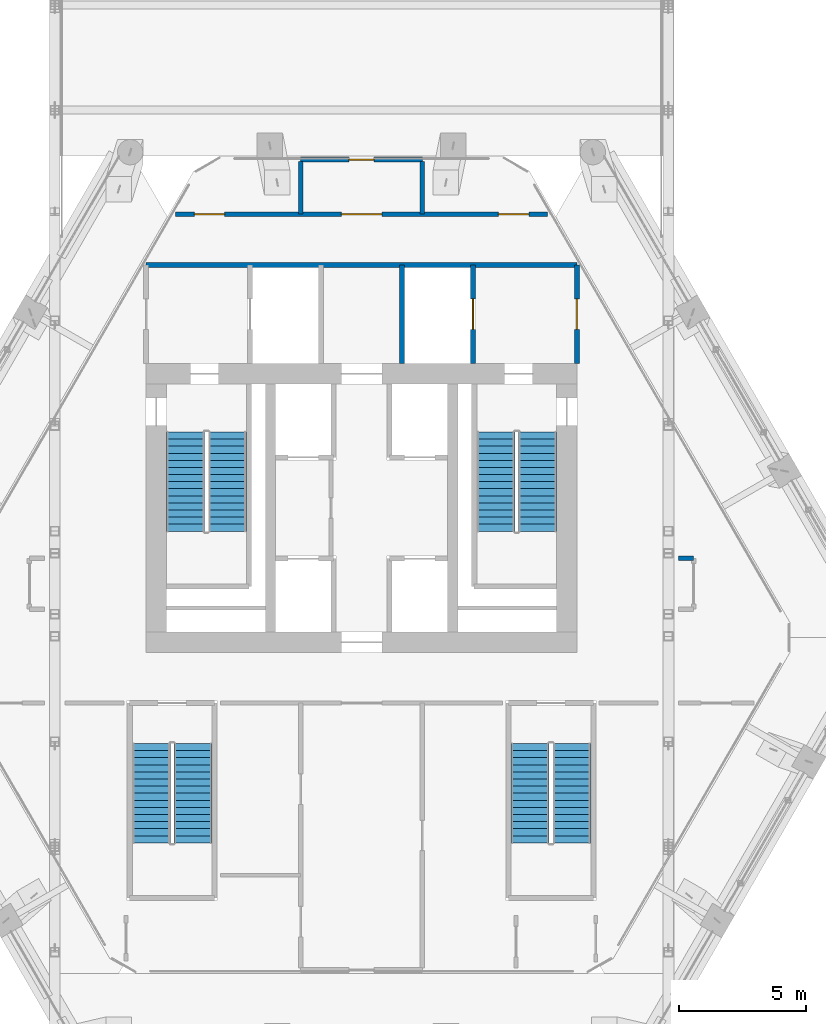
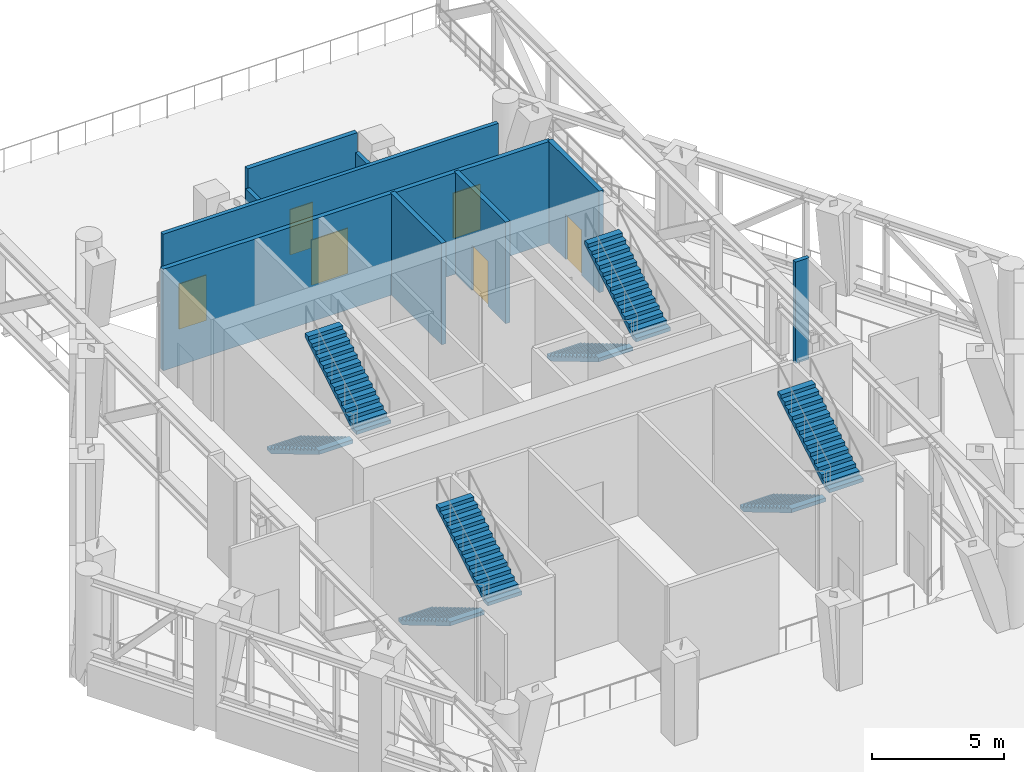
# One storey, part 11 of 22: 9 walls, 8 stair flights, 6 doors, 6 openings, 4 elements without a shape of their own.
"""IFC4 building model written with IfcOpenShell, lengths in metres."""

from ifc_helpers import new_model, si_unit, direction, frame, frame_2d, origin, place, context, subcontext, project, spatial, polyline, rectangle, outline, extrude, material, layer, layer_set, type_object, element, fill, aggregate, save


model = new_model("IFC4")

# Units and contexts
model_context = context("Model", 3, precision=1e-05, world=origin(), true_north=direction((0.0, 1.0)))
body_context = subcontext(model_context, "Body", "Model", "MODEL_VIEW")
ifc_project = project(units=[si_unit("LENGTHUNIT", "METRE"), si_unit("AREAUNIT", "SQUARE_METRE"), si_unit("VOLUMEUNIT", "CUBIC_METRE"), si_unit("PLANEANGLEUNIT", "RADIAN"), si_unit("MASSUNIT", "GRAM", prefix="KILO")], contexts=[model_context])

# Site, building, storey
site_placement = place(None, origin())
site = spatial("IfcSite", under=ifc_project, at=site_placement, CompositionType="ELEMENT")
building_placement = place(site_placement, origin())
building = spatial("IfcBuilding", under=site, at=building_placement, Name="Ostrander Bayou Hotel Tower", CompositionType="ELEMENT")
storey_placement = place(building_placement, frame((0.0, 0.0, 209.5)))
storey = spatial("IfcBuildingStorey", under=building, at=storey_placement, Name="L52", CompositionType="ELEMENT", Elevation=209.5)

# Wall
ifc_material_1 = material(Name="Gypsum board partition", Category="finish")
ifc_layer_1 = layer(ifc_material_1, 0.175048828125)
ifc_layer_set_1 = layer_set([ifc_layer_1], Name="PT4 corridor wall 175 mm, 1 hour")
wall_type_1 = type_object("IfcWallType", Name="PT4 corridor wall 175 mm, 1 hour", PredefinedType="PARTITIONING", material=ifc_layer_set_1)
wall_1_placement = place(storey_placement, frame((12.510009765625, 2.010009765625, 0.0), z_axis=(0.0, 0.0, 1.0), x_axis=(1.0, 0.0, 0.0)))
element("IfcWall", 1, at=wall_1_placement, inside=storey, type_object=wall_type_1, Name="sw:L52:007", PredefinedType="PARTITIONING", context=body_context, shape_type="SweptSolid", body=[
    extrude(rectangle(XDim=0.60009765625, YDim=0.175048828125, at=frame_2d((0.300048828125, 0.0))), origin(), (0.0, 0.0, 1.0), 4.699951171875),
])

# Wall, openings, doors
wall_2_placement = place(storey_placement, frame((-7.340576171875, 15.60009765625, 0.0), z_axis=(0.0, 0.0, 1.0), x_axis=(1.0, 0.0, 0.0)))
wall_2 = element("IfcWall", 2, at=wall_2_placement, inside=storey, type_object=wall_type_1, Name="sw:L52:008", PredefinedType="PARTITIONING", context=body_context, shape_type="SweptSolid", body=[
    extrude(rectangle(XDim=14.68115234375, YDim=0.175048828125, at=frame_2d((7.340576171875, 0.0))), origin(), (0.0, 0.0, 1.0), 4.699951171875),
])
opening_1_placement = place(wall_2_placement, frame((6.54052734375, 0.0, 0.0)))
opening_1 = element("IfcOpeningElement", 3, at=opening_1_placement, cuts=wall_2, Name="Opening T52-201", PredefinedType="OPENING", context=body_context, shape_type="SweptSolid", body=[
    extrude(rectangle(XDim=1.60009765625, YDim=2.10009765625, at=frame_2d((0.800048828125, 1.050048828125))), frame((0.0, 0.08740234375, 0.0), z_axis=(0.0, -1.0, 0.0), x_axis=(1.0, 0.0, 0.0)), (0.0, 0.0, 1.0), 0.175048828125),
])
opening_2_placement = place(wall_2_placement, frame((0.738525390625, 0.0, 0.0)))
opening_2 = element("IfcOpeningElement", 4, at=opening_2_placement, cuts=wall_2, Name="Opening T52-212", PredefinedType="OPENING", context=body_context, shape_type="SweptSolid", body=[
    extrude(rectangle(XDim=1.199951171875, YDim=2.10009765625, at=frame_2d((0.60009765625, 1.050048828125))), frame((0.0, 0.08740234375, 0.0), z_axis=(0.0, -1.0, 0.0), x_axis=(1.0, 0.0, 0.0)), (0.0, 0.0, 1.0), 0.175048828125),
])
opening_3_placement = place(wall_2_placement, frame((12.74267578125, 0.0, 0.0)))
opening_3 = element("IfcOpeningElement", 5, at=opening_3_placement, cuts=wall_2, Name="Opening T52-213", PredefinedType="OPENING", context=body_context, shape_type="SweptSolid", body=[
    extrude(rectangle(XDim=1.199951171875, YDim=2.10009765625, at=frame_2d((0.60009765625, 1.050048828125))), frame((0.0, 0.08740234375, 0.0), z_axis=(0.0, -1.0, 0.0), x_axis=(1.0, 0.0, 0.0)), (0.0, 0.0, 1.0), 0.175048828125),
])
ifc_material_2 = material(Name="Timber door leaf", Category="wood")
door_type_1 = type_object("IfcDoorType", Name="D10 plant room door 1200 x 2100 mm, 1 hour", OperationType="SINGLE_SWING_LEFT", PredefinedType="DOOR", material=ifc_material_2)
door_1_placement = place(opening_2_placement, origin())
door_1 = element("IfcDoor", 6, at=door_1_placement, inside=storey, type_object=door_type_1, Name="dr:L52:212", OperationType="SINGLE_SWING_RIGHT", OverallHeight=2.10009765625, OverallWidth=1.199951171875, PredefinedType="DOOR", context=body_context, shape_type="SweptSolid", body=[
    extrude(rectangle(XDim=1.199951171875, YDim=2.10009765625, at=frame_2d((0.60009765625, 1.050048828125))), frame((0.0, 0.02490234375, 0.0), z_axis=(0.0, -1.0, 0.0), x_axis=(1.0, 0.0, 0.0)), (0.0, 0.0, 1.0), 0.050048828125),
])
fill(opening_2, door_1)
door_2_placement = place(opening_3_placement, origin())
door_2 = element("IfcDoor", 7, at=door_2_placement, inside=storey, type_object=door_type_1, Name="dr:L52:213", OperationType="SINGLE_SWING_LEFT", OverallHeight=2.10009765625, OverallWidth=1.199951171875, PredefinedType="DOOR", context=body_context, shape_type="SweptSolid", body=[
    extrude(rectangle(XDim=1.199951171875, YDim=2.10009765625, at=frame_2d((0.60009765625, 1.050048828125))), frame((0.0, 0.02490234375, 0.0), z_axis=(0.0, -1.0, 0.0), x_axis=(1.0, 0.0, 0.0)), (0.0, 0.0, 1.0), 0.050048828125),
])
fill(opening_3, door_2)
ifc_material_3 = material(Name="Timber door leaf", Category="wood")
door_type_2 = type_object("IfcDoorType", Name="D13 double door 1600 x 2100 mm, 1 hour", OperationType="SINGLE_SWING_LEFT", PredefinedType="DOOR", material=ifc_material_3)
door_3_placement = place(opening_1_placement, origin())
door_3 = element("IfcDoor", 8, at=door_3_placement, inside=storey, type_object=door_type_2, Name="dr:L52:201", OperationType="DOUBLE_DOOR_SINGLE_SWING", OverallHeight=2.10009765625, OverallWidth=1.60009765625, PredefinedType="DOOR", context=body_context, shape_type="SweptSolid", body=[
    extrude(rectangle(XDim=1.60009765625, YDim=2.10009765625, at=frame_2d((0.800048828125, 1.050048828125))), frame((0.0, 0.02490234375, 0.0), z_axis=(0.0, -1.0, 0.0), x_axis=(1.0, 0.0, 0.0)), (0.0, 0.0, 1.0), 0.050048828125),
])
fill(opening_1, door_3)

# Walls
for number, where, z_axis, x_axis, name in (
    (9, (-2.39990234375, 15.60009765625, 0.0), (0.0, 0.0, 1.0), (0.0, 1.0, 0.0), "sw:L52:011"),
    (10, (2.39990234375, 15.60009765625, 0.0), (0.0, 0.0, 1.0), (0.0, 1.0, 0.0), "sw:L52:013"),
):
    element("IfcWall", number, at=place(storey_placement, frame(where, z_axis=z_axis, x_axis=x_axis)), inside=storey, type_object=wall_type_1, Name=name, PredefinedType="PARTITIONING", context=body_context, shape_type="SweptSolid", body=[
        extrude(rectangle(XDim=2.06982421875, YDim=0.175048828125, at=frame_2d((1.034912109375, 0.0))), origin(), (0.0, 0.0, 1.0), 3.800048828125),
    ])
ifc_material_4 = material(Name="Masonry block", Category="masonry")
ifc_layer_2 = layer(ifc_material_4, 0.199951171875)
ifc_layer_set_2 = layer_set([ifc_layer_2], Name="PT5 stair enclosure wall 200 mm masonry, 2 hour")
wall_type_2 = type_object("IfcWallType", Name="PT5 stair enclosure wall 200 mm masonry, 2 hour", PredefinedType="PARTITIONING", material=ifc_layer_set_2)
wall_3_placement = place(storey_placement, frame((-8.5, 13.60009765625, 0.0), z_axis=(0.0, 0.0, 1.0), x_axis=(1.0, 0.0, 0.0)))
element("IfcWall", 11, at=wall_3_placement, inside=storey, type_object=wall_type_2, Name="cs:L52:023", PredefinedType="PARTITIONING", context=body_context, shape_type="SweptSolid", body=[
    extrude(rectangle(XDim=17.0, YDim=0.199951171875, at=frame_2d((8.5, 0.0))), origin(), (0.0, 0.0, 1.0), 4.699951171875),
])

# Wall, opening, door
wall_4_placement = place(storey_placement, frame((8.5, 9.699951171875, 0.0), z_axis=(0.0, 0.0, 1.0), x_axis=(0.0, 1.0, 0.0)))
wall_4 = element("IfcWall", 12, at=wall_4_placement, inside=storey, type_object=wall_type_2, Name="cs:L52:025", PredefinedType="PARTITIONING", context=body_context, shape_type="SweptSolid", body=[
    extrude(rectangle(XDim=3.900146484375, YDim=0.199951171875, at=frame_2d((1.9501953125, 0.0))), origin(), (0.0, 0.0, 1.0), 4.699951171875),
])
opening_4_placement = place(wall_4_placement, frame((1.35009765625, 0.0, 0.0)))
opening_4 = element("IfcOpeningElement", 13, at=opening_4_placement, cuts=wall_4, Name="Opening T52-016", PredefinedType="OPENING", context=body_context, shape_type="SweptSolid", body=[
    extrude(rectangle(XDim=1.199951171875, YDim=2.10009765625, at=frame_2d((0.60009765625, 1.050048828125))), frame((0.0, 0.10009765625, 0.0), z_axis=(0.0, -1.0, 0.0), x_axis=(1.0, 0.0, 0.0)), (0.0, 0.0, 1.0), 0.199951171875),
])
ifc_material_5 = material(Name="Timber door leaf", Category="wood")
door_type_3 = type_object("IfcDoorType", Name="D7 lobby door 1200 x 2100 mm, 1 hour", OperationType="SINGLE_SWING_LEFT", PredefinedType="DOOR", material=ifc_material_5)
door_4_placement = place(opening_4_placement, origin())
door_4 = element("IfcDoor", 14, at=door_4_placement, inside=storey, type_object=door_type_3, Name="dr:L52:016", OperationType="SINGLE_SWING_LEFT", OverallHeight=2.10009765625, OverallWidth=1.199951171875, PredefinedType="DOOR", context=body_context, shape_type="SweptSolid", body=[
    extrude(rectangle(XDim=1.199951171875, YDim=2.10009765625, at=frame_2d((0.60009765625, 1.050048828125))), frame((0.0, 0.02490234375, 0.0), z_axis=(0.0, -1.0, 0.0), x_axis=(1.0, 0.0, 0.0)), (0.0, 0.0, 1.0), 0.050048828125),
])
fill(opening_4, door_4)

wall_5_placement = place(storey_placement, frame((4.39990234375, 9.699951171875, 0.0), z_axis=(0.0, 0.0, 1.0), x_axis=(0.0, 1.0, 0.0)))
wall_5 = element("IfcWall", 15, at=wall_5_placement, inside=storey, type_object=wall_type_2, Name="cs:L52:027", PredefinedType="PARTITIONING", context=body_context, shape_type="SweptSolid", body=[
    extrude(rectangle(XDim=3.900146484375, YDim=0.199951171875, at=frame_2d((1.9501953125, 0.0))), origin(), (0.0, 0.0, 1.0), 4.699951171875),
])
opening_5_placement = place(wall_5_placement, frame((1.35009765625, 0.0, 0.0)))
opening_5 = element("IfcOpeningElement", 16, at=opening_5_placement, cuts=wall_5, Name="Opening T52-015", PredefinedType="OPENING", context=body_context, shape_type="SweptSolid", body=[
    extrude(rectangle(XDim=1.199951171875, YDim=2.10009765625, at=frame_2d((0.60009765625, 1.050048828125))), frame((0.0, 0.10009765625, 0.0), z_axis=(0.0, -1.0, 0.0), x_axis=(1.0, 0.0, 0.0)), (0.0, 0.0, 1.0), 0.199951171875),
])
ifc_material_6 = material(Name="Stainless steel sliding door", Category="steel")
door_type_4 = type_object("IfcDoorType", Name="LD1 lift landing door 1200 x 2100 mm", OperationType="SINGLE_SWING_LEFT", PredefinedType="DOOR", material=ifc_material_6)
door_5_placement = place(opening_5_placement, origin())
door_5 = element("IfcDoor", 17, at=door_5_placement, inside=storey, type_object=door_type_4, Name="dr:L52:015", OperationType="SLIDING_TO_LEFT", OverallHeight=2.10009765625, OverallWidth=1.199951171875, PredefinedType="DOOR", context=body_context, shape_type="SweptSolid", body=[
    extrude(rectangle(XDim=1.199951171875, YDim=2.10009765625, at=frame_2d((0.60009765625, 1.050048828125))), frame((0.0, 0.02490234375, 0.0), z_axis=(0.0, -1.0, 0.0), x_axis=(1.0, 0.0, 0.0)), (0.0, 0.0, 1.0), 0.050048828125),
])
fill(opening_5, door_5)

# Wall
ifc_material_7 = material(Name="Masonry block", Category="masonry")
ifc_layer_3 = layer(ifc_material_7, 0.199951171875)
ifc_layer_set_3 = layer_set([ifc_layer_3], Name="PT6 lift shaft wall 200 mm masonry, 2 hour")
wall_type_3 = type_object("IfcWallType", Name="PT6 lift shaft wall 200 mm masonry, 2 hour", PredefinedType="PARTITIONING", material=ifc_layer_set_3)
wall_6_placement = place(storey_placement, frame((1.60009765625, 9.699951171875, 0.0), z_axis=(0.0, 0.0, 1.0), x_axis=(0.0, 1.0, 0.0)))
element("IfcWall", 18, at=wall_6_placement, inside=storey, type_object=wall_type_3, Name="cs:L52:029", PredefinedType="PARTITIONING", context=body_context, shape_type="SweptSolid", body=[
    extrude(rectangle(XDim=3.900146484375, YDim=0.199951171875, at=frame_2d((1.9501953125, 0.0))), origin(), (0.0, 0.0, 1.0), 4.699951171875),
])

# Wall, opening, door
ifc_material_8 = material(Name="Masonry block", Category="masonry")
ifc_layer_4 = layer(ifc_material_8, 0.199951171875)
ifc_layer_set_4 = layer_set([ifc_layer_4], Name="PT9 exterior screen wall 200 mm masonry, 1 hour")
wall_type_4 = type_object("IfcWallType", Name="PT9 exterior screen wall 200 mm masonry, 1 hour", PredefinedType="PARTITIONING", material=ifc_layer_set_4)
wall_7_placement = place(storey_placement, frame((-2.39990234375, 17.75, 0.0), z_axis=(0.0, 0.0, 1.0), x_axis=(1.0, 0.0, 0.0)))
wall_7 = element("IfcWall", 19, at=wall_7_placement, inside=storey, type_object=wall_type_4, Name="sw:L52:022", PredefinedType="PARTITIONING", context=body_context, shape_type="SweptSolid", body=[
    extrude(rectangle(XDim=4.7998046875, YDim=0.199951171875, at=frame_2d((2.39990234375, 0.0))), origin(), (0.0, 0.0, 1.0), 4.699951171875),
])
opening_6_placement = place(wall_7_placement, frame((1.89990234375, 0.0, 0.0)))
opening_6 = element("IfcOpeningElement", 20, at=opening_6_placement, cuts=wall_7, Name="Opening T52-215", PredefinedType="OPENING", context=body_context, shape_type="SweptSolid", body=[
    extrude(rectangle(XDim=1.0, YDim=2.10009765625, at=frame_2d((0.5, 1.050048828125))), frame((0.0, 0.10009765625, 0.0), z_axis=(0.0, -1.0, 0.0), x_axis=(1.0, 0.0, 0.0)), (0.0, 0.0, 1.0), 0.199951171875),
])
ifc_material_9 = material(Name="Timber door leaf", Category="wood")
door_type_5 = type_object("IfcDoorType", Name="D4 corridor door 1000 x 2100 mm, 1 hour", OperationType="SINGLE_SWING_LEFT", PredefinedType="DOOR", material=ifc_material_9)
door_6_placement = place(opening_6_placement, origin())
door_6 = element("IfcDoor", 21, at=door_6_placement, inside=storey, type_object=door_type_5, Name="dr:L52:215", OperationType="SINGLE_SWING_LEFT", OverallHeight=2.10009765625, OverallWidth=1.0, PredefinedType="DOOR", context=body_context, shape_type="SweptSolid", body=[
    extrude(rectangle(XDim=1.0, YDim=2.10009765625, at=frame_2d((0.5, 1.050048828125))), frame((0.0, 0.02490234375, 0.0), z_axis=(0.0, -1.0, 0.0), x_axis=(1.0, 0.0, 0.0)), (0.0, 0.0, 1.0), 0.050048828125),
])
fill(opening_6, door_6)

# Stair, stair flights
ifc_material_10 = material(Name="Concrete f'c 45 MPa", Category="concrete")
stair_type = type_object("IfcStairType", Name="ST1 exit stair 1500 mm f'c 45 MPa", PredefinedType="HALF_TURN_STAIR", material=ifc_material_10)
stair_1_placement = place(storey_placement, origin())
stair_1 = element("IfcStair", 22, at=stair_1_placement, inside=storey, type_object=stair_type, Name="L52 exit stair A", PredefinedType="HALF_TURN_STAIR")
ifc_material_11 = material(Name="Concrete f'c 45 MPa", Category="concrete")
stair_flight_type = type_object("IfcStairFlightType", Name="SF1 stair flight 1500 mm f'c 45 MPa", PredefinedType="STRAIGHT", material=ifc_material_11)
stair_flight_1_placement = place(storey_placement, frame((-6.949951171875, 7.0, 0.0), z_axis=(0.0, 0.0, 1.0), x_axis=(0.0, -1.0, 0.0)))
stair_flight_1 = element("IfcStairFlight", 23, at=stair_flight_1_placement, type_object=stair_flight_type, Name="STA flight 1", NumberOfRisers=15, NumberOfTreads=14, PredefinedType="STRAIGHT", RiserHeight=0.166666667, TreadLength=0.28, context=body_context, shape_type="SweptSolid", body=[
    extrude(outline(polyline([(0.0, 0.0), (0.0, 0.166748046875), (0.280029296875, 0.166748046875), (0.280029296875, 0.333251953125), (0.56005859375, 0.333251953125), (0.56005859375, 0.5), (0.840087890625, 0.5), (0.840087890625, 0.666748046875), (1.1201171875, 0.666748046875), (1.1201171875, 0.833251953125), (1.39990234375, 0.833251953125), (1.39990234375, 1.0), (1.679931640625, 1.0), (1.679931640625, 1.166748046875), (1.9599609375, 1.166748046875), (1.9599609375, 1.333251953125), (2.239990234375, 1.333251953125), (2.239990234375, 1.5), (2.52001953125, 1.5), (2.52001953125, 1.666748046875), (2.800048828125, 1.666748046875), (2.800048828125, 1.833251953125), (3.080078125, 1.833251953125), (3.080078125, 2.0), (3.360107421875, 2.0), (3.360107421875, 2.166748046875), (3.639892578125, 2.166748046875), (3.639892578125, 2.333251953125), (3.919921875, 2.333251953125), (3.919921875, 2.5), (3.919921875, 2.158935546875), (0.29296875, 0.0), (0.0, 0.0)])), frame((0.0, 0.75, 0.0), z_axis=(0.0, -1.0, 0.0), x_axis=(1.0, 0.0, 0.0)), (0.0, 0.0, 1.0), 1.5),
])
stair_flight_2_placement = place(storey_placement, frame((-5.300048828125, 3.080078125, 2.5), z_axis=(0.0, 0.0, 1.0), x_axis=(0.0, 1.0, 0.0)))
stair_flight_2 = element("IfcStairFlight", 24, at=stair_flight_2_placement, type_object=stair_flight_type, Name="STA flight 2", NumberOfRisers=15, NumberOfTreads=14, PredefinedType="STRAIGHT", RiserHeight=0.166666667, TreadLength=0.28, context=body_context, shape_type="SweptSolid", body=[
    extrude(outline(polyline([(0.0, 0.0), (0.0, 0.166748046875), (0.280029296875, 0.166748046875), (0.280029296875, 0.333251953125), (0.56005859375, 0.333251953125), (0.56005859375, 0.5), (0.840087890625, 0.5), (0.840087890625, 0.666748046875), (1.1201171875, 0.666748046875), (1.1201171875, 0.833251953125), (1.39990234375, 0.833251953125), (1.39990234375, 1.0), (1.679931640625, 1.0), (1.679931640625, 1.166748046875), (1.9599609375, 1.166748046875), (1.9599609375, 1.333251953125), (2.239990234375, 1.333251953125), (2.239990234375, 1.5), (2.52001953125, 1.5), (2.52001953125, 1.666748046875), (2.800048828125, 1.666748046875), (2.800048828125, 1.833251953125), (3.080078125, 1.833251953125), (3.080078125, 2.0), (3.360107421875, 2.0), (3.360107421875, 2.166748046875), (3.639892578125, 2.166748046875), (3.639892578125, 2.333251953125), (3.919921875, 2.333251953125), (3.919921875, 2.5), (3.919921875, 2.158935546875), (0.29296875, 0.0), (0.0, 0.0)])), frame((0.0, 0.75, 0.0), z_axis=(0.0, -1.0, 0.0), x_axis=(1.0, 0.0, 0.0)), (0.0, 0.0, 1.0), 1.5),
])
aggregate(stair_1, [stair_flight_1, stair_flight_2])

stair_2_placement = place(storey_placement, origin())
stair_2 = element("IfcStair", 25, at=stair_2_placement, inside=storey, type_object=stair_type, Name="L52 exit stair B", PredefinedType="HALF_TURN_STAIR")
stair_flight_3_placement = place(storey_placement, frame((5.300048828125, 7.0, 0.0), z_axis=(0.0, 0.0, 1.0), x_axis=(0.0, -1.0, 0.0)))
stair_flight_3 = element("IfcStairFlight", 26, at=stair_flight_3_placement, type_object=stair_flight_type, Name="STB flight 1", NumberOfRisers=15, NumberOfTreads=14, PredefinedType="STRAIGHT", RiserHeight=0.166666667, TreadLength=0.28, context=body_context, shape_type="SweptSolid", body=[
    extrude(outline(polyline([(0.0, 0.0), (0.0, 0.166748046875), (0.280029296875, 0.166748046875), (0.280029296875, 0.333251953125), (0.56005859375, 0.333251953125), (0.56005859375, 0.5), (0.840087890625, 0.5), (0.840087890625, 0.666748046875), (1.1201171875, 0.666748046875), (1.1201171875, 0.833251953125), (1.39990234375, 0.833251953125), (1.39990234375, 1.0), (1.679931640625, 1.0), (1.679931640625, 1.166748046875), (1.9599609375, 1.166748046875), (1.9599609375, 1.333251953125), (2.239990234375, 1.333251953125), (2.239990234375, 1.5), (2.52001953125, 1.5), (2.52001953125, 1.666748046875), (2.800048828125, 1.666748046875), (2.800048828125, 1.833251953125), (3.080078125, 1.833251953125), (3.080078125, 2.0), (3.360107421875, 2.0), (3.360107421875, 2.166748046875), (3.639892578125, 2.166748046875), (3.639892578125, 2.333251953125), (3.919921875, 2.333251953125), (3.919921875, 2.5), (3.919921875, 2.158935546875), (0.29296875, 0.0), (0.0, 0.0)])), frame((0.0, 0.75, 0.0), z_axis=(0.0, -1.0, 0.0), x_axis=(1.0, 0.0, 0.0)), (0.0, 0.0, 1.0), 1.5),
])
stair_flight_4_placement = place(storey_placement, frame((6.949951171875, 3.080078125, 2.5), z_axis=(0.0, 0.0, 1.0), x_axis=(0.0, 1.0, 0.0)))
stair_flight_4 = element("IfcStairFlight", 27, at=stair_flight_4_placement, type_object=stair_flight_type, Name="STB flight 2", NumberOfRisers=15, NumberOfTreads=14, PredefinedType="STRAIGHT", RiserHeight=0.166666667, TreadLength=0.28, context=body_context, shape_type="SweptSolid", body=[
    extrude(outline(polyline([(0.0, 0.0), (0.0, 0.166748046875), (0.280029296875, 0.166748046875), (0.280029296875, 0.333251953125), (0.56005859375, 0.333251953125), (0.56005859375, 0.5), (0.840087890625, 0.5), (0.840087890625, 0.666748046875), (1.1201171875, 0.666748046875), (1.1201171875, 0.833251953125), (1.39990234375, 0.833251953125), (1.39990234375, 1.0), (1.679931640625, 1.0), (1.679931640625, 1.166748046875), (1.9599609375, 1.166748046875), (1.9599609375, 1.333251953125), (2.239990234375, 1.333251953125), (2.239990234375, 1.5), (2.52001953125, 1.5), (2.52001953125, 1.666748046875), (2.800048828125, 1.666748046875), (2.800048828125, 1.833251953125), (3.080078125, 1.833251953125), (3.080078125, 2.0), (3.360107421875, 2.0), (3.360107421875, 2.166748046875), (3.639892578125, 2.166748046875), (3.639892578125, 2.333251953125), (3.919921875, 2.333251953125), (3.919921875, 2.5), (3.919921875, 2.158935546875), (0.29296875, 0.0), (0.0, 0.0)])), frame((0.0, 0.75, 0.0), z_axis=(0.0, -1.0, 0.0), x_axis=(1.0, 0.0, 0.0)), (0.0, 0.0, 1.0), 1.5),
])
aggregate(stair_2, [stair_flight_3, stair_flight_4])

stair_3_placement = place(storey_placement, origin())
stair_3 = element("IfcStair", 28, at=stair_3_placement, inside=storey, type_object=stair_type, Name="L52 exit stair C", PredefinedType="HALF_TURN_STAIR")
stair_flight_5_placement = place(storey_placement, frame((6.64990234375, -5.300048828125, 0.0), z_axis=(0.0, 0.0, 1.0), x_axis=(0.0, -1.0, 0.0)))
stair_flight_5 = element("IfcStairFlight", 29, at=stair_flight_5_placement, type_object=stair_flight_type, Name="STC flight 1", NumberOfRisers=15, NumberOfTreads=14, PredefinedType="STRAIGHT", RiserHeight=0.166666667, TreadLength=0.28, context=body_context, shape_type="SweptSolid", body=[
    extrude(outline(polyline([(0.0, 0.0), (0.0, 0.166748046875), (0.280029296875, 0.166748046875), (0.280029296875, 0.333251953125), (0.56005859375, 0.333251953125), (0.56005859375, 0.5), (0.840087890625, 0.5), (0.840087890625, 0.666748046875), (1.1201171875, 0.666748046875), (1.1201171875, 0.833251953125), (1.39990234375, 0.833251953125), (1.39990234375, 1.0), (1.679931640625, 1.0), (1.679931640625, 1.166748046875), (1.9599609375, 1.166748046875), (1.9599609375, 1.333251953125), (2.239990234375, 1.333251953125), (2.239990234375, 1.5), (2.52001953125, 1.5), (2.52001953125, 1.666748046875), (2.800048828125, 1.666748046875), (2.800048828125, 1.833251953125), (3.080078125, 1.833251953125), (3.080078125, 2.0), (3.360107421875, 2.0), (3.360107421875, 2.166748046875), (3.639892578125, 2.166748046875), (3.639892578125, 2.333251953125), (3.919921875, 2.333251953125), (3.919921875, 2.5), (3.919921875, 2.158935546875), (0.29296875, 0.0), (0.0, 0.0)])), frame((0.0, 0.75, 0.0), z_axis=(0.0, -1.0, 0.0), x_axis=(1.0, 0.0, 0.0)), (0.0, 0.0, 1.0), 1.5),
])
stair_flight_6_placement = place(storey_placement, frame((8.300048828125, -9.219970703125, 2.5), z_axis=(0.0, 0.0, 1.0), x_axis=(0.0, 1.0, 0.0)))
stair_flight_6 = element("IfcStairFlight", 30, at=stair_flight_6_placement, type_object=stair_flight_type, Name="STC flight 2", NumberOfRisers=15, NumberOfTreads=14, PredefinedType="STRAIGHT", RiserHeight=0.166666667, TreadLength=0.28, context=body_context, shape_type="SweptSolid", body=[
    extrude(outline(polyline([(0.0, 0.0), (0.0, 0.166748046875), (0.280029296875, 0.166748046875), (0.280029296875, 0.333251953125), (0.56005859375, 0.333251953125), (0.56005859375, 0.5), (0.840087890625, 0.5), (0.840087890625, 0.666748046875), (1.1201171875, 0.666748046875), (1.1201171875, 0.833251953125), (1.39990234375, 0.833251953125), (1.39990234375, 1.0), (1.679931640625, 1.0), (1.679931640625, 1.166748046875), (1.9599609375, 1.166748046875), (1.9599609375, 1.333251953125), (2.239990234375, 1.333251953125), (2.239990234375, 1.5), (2.52001953125, 1.5), (2.52001953125, 1.666748046875), (2.800048828125, 1.666748046875), (2.800048828125, 1.833251953125), (3.080078125, 1.833251953125), (3.080078125, 2.0), (3.360107421875, 2.0), (3.360107421875, 2.166748046875), (3.639892578125, 2.166748046875), (3.639892578125, 2.333251953125), (3.919921875, 2.333251953125), (3.919921875, 2.5), (3.919921875, 2.158935546875), (0.29296875, 0.0), (0.0, 0.0)])), frame((0.0, 0.75, 0.0), z_axis=(0.0, -1.0, 0.0), x_axis=(1.0, 0.0, 0.0)), (0.0, 0.0, 1.0), 1.5),
])
aggregate(stair_3, [stair_flight_5, stair_flight_6])

stair_4_placement = place(storey_placement, origin())
stair_4 = element("IfcStair", 31, at=stair_4_placement, inside=storey, type_object=stair_type, Name="L52 exit stair D", PredefinedType="HALF_TURN_STAIR")
stair_flight_7_placement = place(storey_placement, frame((-8.300048828125, -5.300048828125, 0.0), z_axis=(0.0, 0.0, 1.0), x_axis=(0.0, -1.0, 0.0)))
stair_flight_7 = element("IfcStairFlight", 32, at=stair_flight_7_placement, type_object=stair_flight_type, Name="STD flight 1", NumberOfRisers=15, NumberOfTreads=14, PredefinedType="STRAIGHT", RiserHeight=0.166666667, TreadLength=0.28, context=body_context, shape_type="SweptSolid", body=[
    extrude(outline(polyline([(0.0, 0.0), (0.0, 0.166748046875), (0.280029296875, 0.166748046875), (0.280029296875, 0.333251953125), (0.56005859375, 0.333251953125), (0.56005859375, 0.5), (0.840087890625, 0.5), (0.840087890625, 0.666748046875), (1.1201171875, 0.666748046875), (1.1201171875, 0.833251953125), (1.39990234375, 0.833251953125), (1.39990234375, 1.0), (1.679931640625, 1.0), (1.679931640625, 1.166748046875), (1.9599609375, 1.166748046875), (1.9599609375, 1.333251953125), (2.239990234375, 1.333251953125), (2.239990234375, 1.5), (2.52001953125, 1.5), (2.52001953125, 1.666748046875), (2.800048828125, 1.666748046875), (2.800048828125, 1.833251953125), (3.080078125, 1.833251953125), (3.080078125, 2.0), (3.360107421875, 2.0), (3.360107421875, 2.166748046875), (3.639892578125, 2.166748046875), (3.639892578125, 2.333251953125), (3.919921875, 2.333251953125), (3.919921875, 2.5), (3.919921875, 2.158935546875), (0.29296875, 0.0), (0.0, 0.0)])), frame((0.0, 0.75, 0.0), z_axis=(0.0, -1.0, 0.0), x_axis=(1.0, 0.0, 0.0)), (0.0, 0.0, 1.0), 1.5),
])
stair_flight_8_placement = place(storey_placement, frame((-6.64990234375, -9.219970703125, 2.5), z_axis=(0.0, 0.0, 1.0), x_axis=(0.0, 1.0, 0.0)))
stair_flight_8 = element("IfcStairFlight", 33, at=stair_flight_8_placement, type_object=stair_flight_type, Name="STD flight 2", NumberOfRisers=15, NumberOfTreads=14, PredefinedType="STRAIGHT", RiserHeight=0.166666667, TreadLength=0.28, context=body_context, shape_type="SweptSolid", body=[
    extrude(outline(polyline([(0.0, 0.0), (0.0, 0.166748046875), (0.280029296875, 0.166748046875), (0.280029296875, 0.333251953125), (0.56005859375, 0.333251953125), (0.56005859375, 0.5), (0.840087890625, 0.5), (0.840087890625, 0.666748046875), (1.1201171875, 0.666748046875), (1.1201171875, 0.833251953125), (1.39990234375, 0.833251953125), (1.39990234375, 1.0), (1.679931640625, 1.0), (1.679931640625, 1.166748046875), (1.9599609375, 1.166748046875), (1.9599609375, 1.333251953125), (2.239990234375, 1.333251953125), (2.239990234375, 1.5), (2.52001953125, 1.5), (2.52001953125, 1.666748046875), (2.800048828125, 1.666748046875), (2.800048828125, 1.833251953125), (3.080078125, 1.833251953125), (3.080078125, 2.0), (3.360107421875, 2.0), (3.360107421875, 2.166748046875), (3.639892578125, 2.166748046875), (3.639892578125, 2.333251953125), (3.919921875, 2.333251953125), (3.919921875, 2.5), (3.919921875, 2.158935546875), (0.29296875, 0.0), (0.0, 0.0)])), frame((0.0, 0.75, 0.0), z_axis=(0.0, -1.0, 0.0), x_axis=(1.0, 0.0, 0.0)), (0.0, 0.0, 1.0), 1.5),
])
aggregate(stair_4, [stair_flight_7, stair_flight_8])

save(model, "model.ifc")
